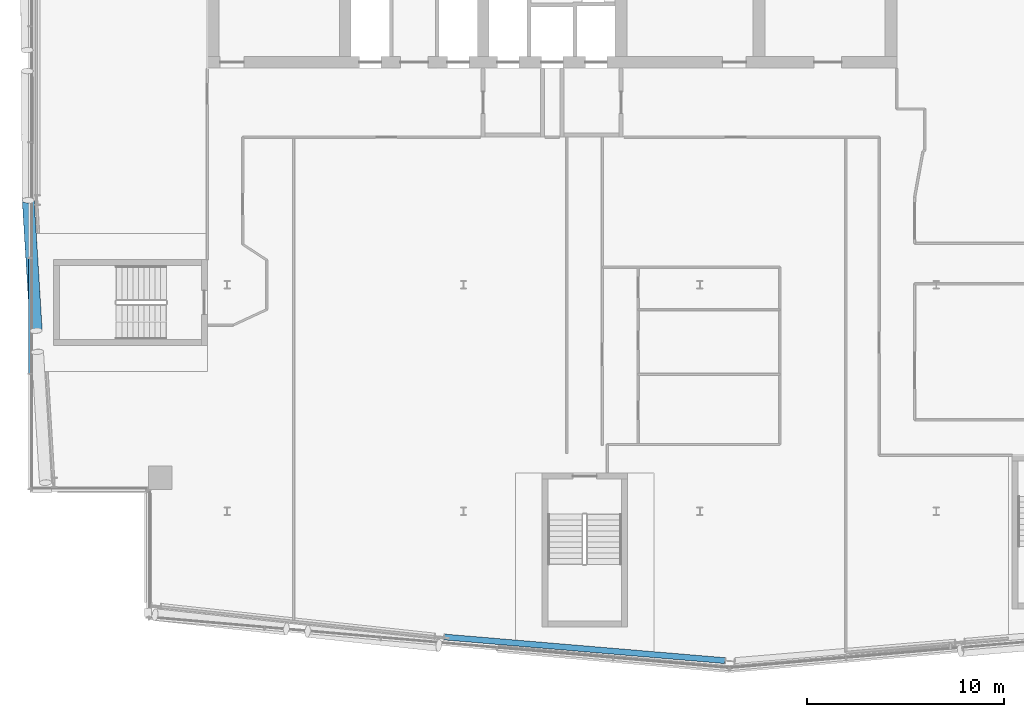
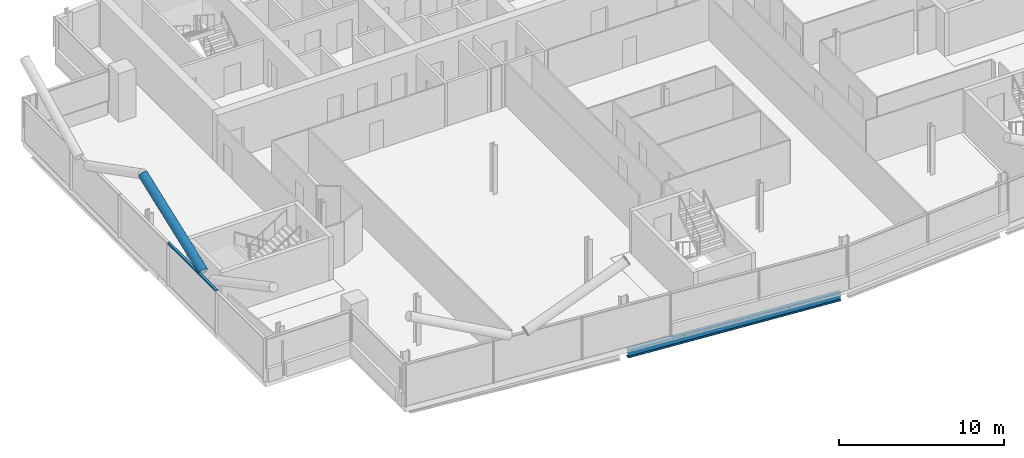
# One storey, part 6 of 26: 2 members, 1 beam, 1 element without a shape of its own.
"""IFC4 building model written with IfcOpenShell, lengths in metres."""

from ifc_helpers import new_model, si_unit, direction, frame, origin, origin_2d, place, context, subcontext, project, spatial, rectangle, hollow_circle, i_section, extrude, material, material_profile, profile_set, type_object, element, aggregate, save


model = new_model("IFC4")

# Units and contexts
model_context = context("Model", 3, precision=1e-05, world=origin(), true_north=direction((0.0, 1.0)))
body_context = subcontext(model_context, "Body", "Model", "MODEL_VIEW")
ifc_project = project(units=[si_unit("LENGTHUNIT", "METRE"), si_unit("AREAUNIT", "SQUARE_METRE"), si_unit("VOLUMEUNIT", "CUBIC_METRE"), si_unit("PLANEANGLEUNIT", "RADIAN"), si_unit("MASSUNIT", "GRAM", prefix="KILO")], contexts=[model_context])

# Site, building, storey
site_placement = place(None, origin())
site = spatial("IfcSite", under=ifc_project, at=site_placement, CompositionType="ELEMENT")
building_placement = place(site_placement, origin())
building = spatial("IfcBuilding", under=site, at=building_placement, Name="Wharfspan Tower", CompositionType="ELEMENT")
storey_placement = place(building_placement, frame((0.0, 0.0, 235.899902)))
storey = spatial("IfcBuildingStorey", under=building, at=storey_placement, Name="L59", CompositionType="ELEMENT", Elevation=235.899902)

# Beam
ifc_material_1 = material(Name="Steel S355J2", Category="steel")
ifc_material_profile_1 = material_profile(ifc_material_1, i_section(OverallWidth=0.300049, OverallDepth=0.600098, WebThickness=0.015381, FlangeThickness=0.030029, FilletRadius=0.0271, at=origin_2d()))
ifc_profile_set_1 = profile_set([ifc_material_profile_1], Name="Steel S355J2")
beam_type = type_object("IfcBeamType", Name="Edge beam HEB 600", PredefinedType="SPANDREL", material=ifc_profile_set_1)
beam_placement = place(storey_placement, frame((35.038574, 5.121582, -0.699951), z_axis=(0.996473, -0.083909, 0.0), x_axis=(0.083909, 0.996473, 0.0)))
element("IfcBeam", 1, at=beam_placement, inside=storey, type_object=beam_type, Name="Edge beam S1 L59 PS1.2 to PS1.3", PredefinedType="SPANDREL", context=body_context, shape_type="SweptSolid", body=[
    extrude(i_section(OverallWidth=0.300049, OverallDepth=0.600098, WebThickness=0.015381, FlangeThickness=0.030029, FilletRadius=0.0271, at=origin_2d()), origin(), (0.0, 0.0, 1.0), 14.277344),
])

# Member
ifc_material_2 = material(Name="Steel S460NH", Category="steel")
ifc_material_profile_2 = material_profile(ifc_material_2, hollow_circle(Radius=0.304932, WallThickness=0.024902, at=origin_2d()))
ifc_profile_set_2 = profile_set([ifc_material_profile_2], Name="Steel S460NH")
member_type_1 = type_object("IfcMemberType", Name="Mega brace CHS 610x25", PredefinedType="BRACE", material=ifc_profile_set_2)
member_1_placement = place(storey_placement, frame((14.310791, 20.670654, 3.170654), z_axis=(-0.054615, 0.892302, 0.448123), x_axis=(-0.998132, -0.061091, -3e-06)))
element("IfcMember", 2, at=member_1_placement, inside=storey, type_object=member_type_1, Name="Mega brace W4 L59 part 4", PredefinedType="BRACE", context=body_context, shape_type="SweptSolid", body=[
    extrude(hollow_circle(Radius=0.304932, WallThickness=0.024902, at=origin_2d()), origin(), (0.0, 0.0, 1.0), 7.429443),
])

# Curtain wall, member
ifc_material_3 = material(Name="Aluminium 6063-T6", Category="aluminium")
curtain_wall_type = type_object("IfcCurtainWallType", Name="CURTAIN WALL PROW AND END", PredefinedType="NOTDEFINED", material=ifc_material_3)
curtain_wall_placement = place(storey_placement, origin())
curtain_wall = element("IfcCurtainWall", 3, at=curtain_wall_placement, inside=storey, type_object=curtain_wall_type, Name="Curtain wall W", PredefinedType="NOTDEFINED")
ifc_material_profile_3 = material_profile(ifc_material_3, rectangle(XDim=0.179932, YDim=0.080078, at=origin_2d()))
ifc_profile_set_3 = profile_set([ifc_material_profile_3], Name="Aluminium 6063-T6")
member_type_2 = type_object("IfcMemberType", Name="TRANSOM PROW AND END 80x180", PredefinedType="USERDEFINED", material=ifc_profile_set_3)
member_2_placement = place(storey_placement, frame((14.0, 24.330078, 3.160156), z_axis=(0.0, -1.0, 0.0), x_axis=(1.0, 0.0, 0.0)))
member_2 = element("IfcMember", 4, at=member_2_placement, type_object=member_type_2, Name="Curtain wall W transom 4", ObjectType="TRANSOM", PredefinedType="USERDEFINED", context=body_context, shape_type="SweptSolid", body=[
    extrude(rectangle(XDim=0.179932, YDim=0.080078, at=origin_2d()), origin(), (0.0, 0.0, 1.0), 5.820068),
])
aggregate(curtain_wall, [member_2])

save(model, "model.ifc")
